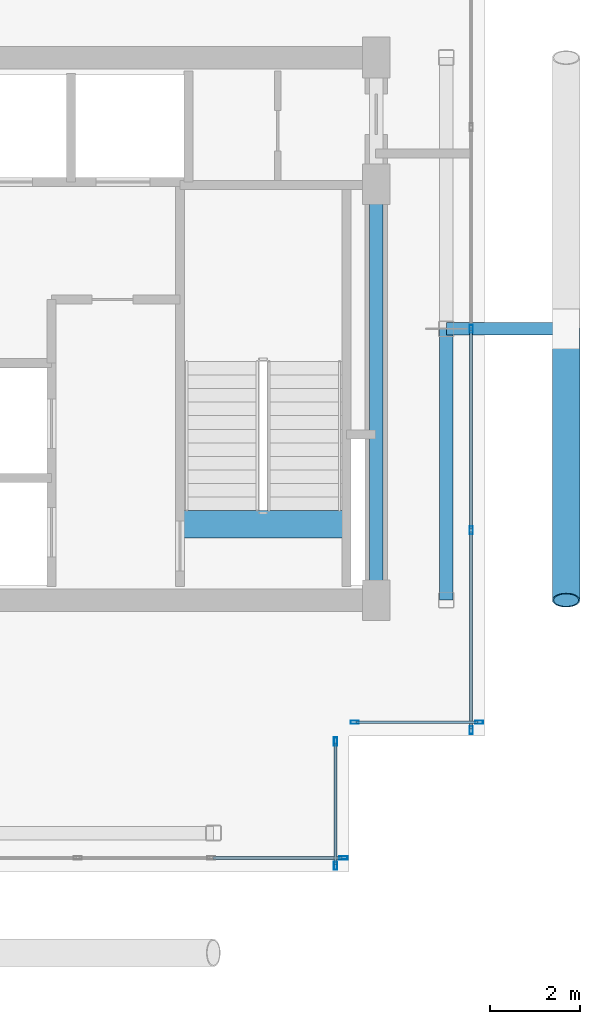
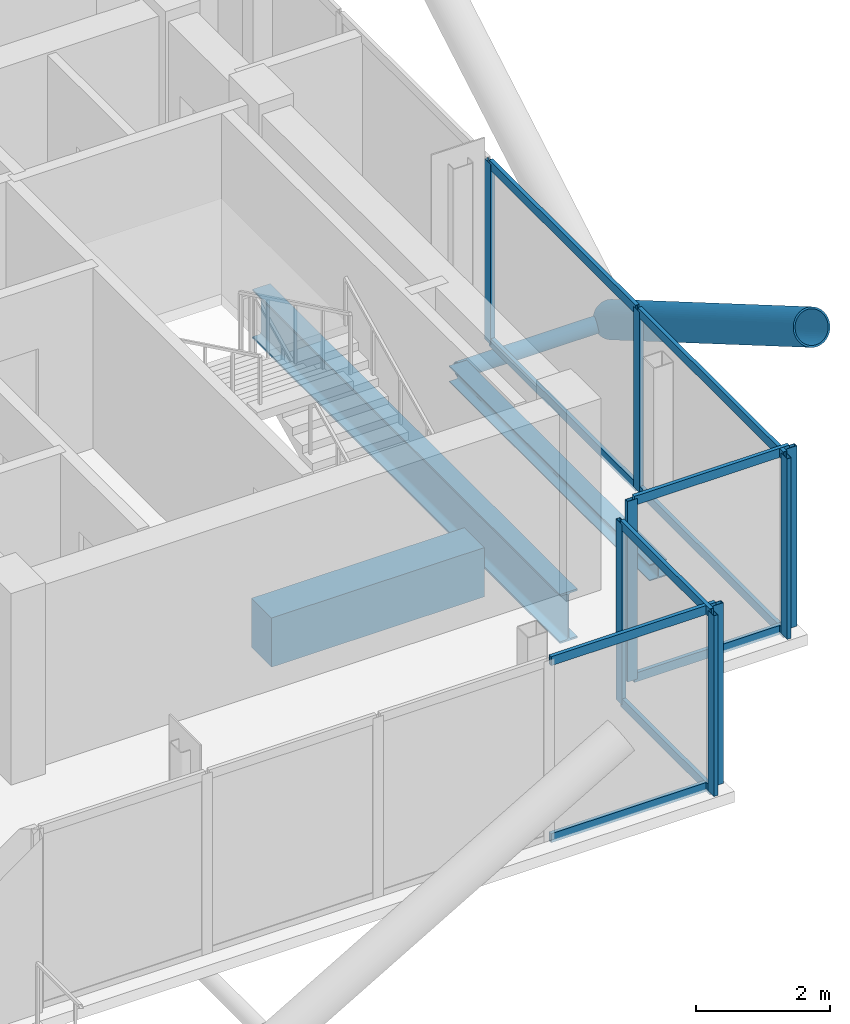
# One storey, part 11 of 18: 20 members, 3 beams, 4 elements without a shape of their own.
"""IFC4 building model written with IfcOpenShell, lengths in metres."""

from ifc_helpers import new_model, si_unit, direction, frame, origin, origin_2d, place, context, subcontext, project, spatial, rectangle, hollow_rectangle, hollow_circle, i_section, extrude, material, layer, layer_set, material_profile, profile_set, type_object, element, aggregate, save


model = new_model("IFC4")

# Units and contexts
model_context = context("Model", 3, precision=1e-05, world=origin(), true_north=direction((0.0, 1.0)))
body_context = subcontext(model_context, "Body", "Model", "MODEL_VIEW")
ifc_project = project(units=[si_unit("LENGTHUNIT", "METRE"), si_unit("AREAUNIT", "SQUARE_METRE"), si_unit("VOLUMEUNIT", "CUBIC_METRE"), si_unit("PLANEANGLEUNIT", "RADIAN"), si_unit("MASSUNIT", "GRAM", prefix="KILO"), si_unit("THERMODYNAMICTEMPERATUREUNIT", "KELVIN"), si_unit("POWERUNIT", "WATT")], contexts=[model_context])

# Site, building, storey
site_placement = place(None, origin())
site = spatial("IfcSite", under=ifc_project, at=site_placement, CompositionType="ELEMENT")
building_placement = place(site_placement, origin())
building = spatial("IfcBuilding", under=site, at=building_placement, Name="Svarakhadi Broadcast Tower", CompositionType="ELEMENT")
storey_placement = place(building_placement, frame((0.0, 0.0, 281.699951171875)))
storey = spatial("IfcBuildingStorey", under=building, at=storey_placement, Name="L71", CompositionType="ELEMENT", Elevation=281.699951171875)

# Curtain wall, members
ifc_material_1 = material(Name="Anodised Bronze Aluminium AA 6063-T6", Category="aluminium")
ifc_layer = layer(ifc_material_1, 0.179931640625)
ifc_layer_set = layer_set([ifc_layer], Name="Anodised Bronze Aluminium AA 6063-T6")
curtain_wall_type = type_object("IfcCurtainWallType", Name="CW_Sys_05", PredefinedType="NOTDEFINED", material=ifc_layer_set)
curtain_wall_1_placement = place(storey_placement, origin())
curtain_wall_1 = element("IfcCurtainWall", 1, at=curtain_wall_1_placement, inside=storey, type_object=curtain_wall_type, Name="L71 Unitised Facade Curtain Wall 13", PredefinedType="NOTDEFINED")
ifc_material_profile_1 = material_profile(ifc_material_1, hollow_rectangle(XDim=0.070068359375, YDim=0.179931640625, WallThickness=0.005615234375, at=origin_2d()), Name="ALU MULLION 180x70x6")
ifc_profile_set_1 = profile_set([ifc_material_profile_1], Name="Anodised Bronze Aluminium AA 6063-T6")
member_type_1 = type_object("IfcMemberType", Name="CW_Sys_05_Mul", PredefinedType="MULLION", material=ifc_profile_set_1)
member_1_placement = place(storey_placement, frame((35.699951171875, 12.0, 0.0), z_axis=(0.0, 0.0, 1.0), x_axis=(1.0, 0.0, 0.0)))
member_1 = element("IfcMember", 2, at=member_1_placement, type_object=member_type_1, Name="CW-05 mullion 3", PredefinedType="MULLION", context=body_context, shape_type="SweptSolid", body=[
    extrude(hollow_rectangle(XDim=0.070068359375, YDim=0.179931640625, WallThickness=0.005615234375, at=origin_2d()), origin(), (0.0, 0.0, 1.0), 3.300048828125),
])
member_2_placement = place(storey_placement, frame((35.699951171875, 7.544921875, 0.0), z_axis=(0.0, 0.0, 1.0), x_axis=(1.0, 0.0, 0.0)))
member_2 = element("IfcMember", 3, at=member_2_placement, type_object=member_type_1, Name="CW-05 mullion 4", PredefinedType="MULLION", context=body_context, shape_type="SweptSolid", body=[
    extrude(hollow_rectangle(XDim=0.070068359375, YDim=0.179931640625, WallThickness=0.005615234375, at=origin_2d()), origin(), (0.0, 0.0, 1.0), 3.300048828125),
])
member_3_placement = place(storey_placement, frame((35.699951171875, 3.125, 0.0), z_axis=(0.0, 0.0, 1.0), x_axis=(1.0, 0.0, 0.0)))
member_3 = element("IfcMember", 4, at=member_3_placement, type_object=member_type_1, Name="CW-05 mullion 5", PredefinedType="MULLION", context=body_context, shape_type="SweptSolid", body=[
    extrude(hollow_rectangle(XDim=0.070068359375, YDim=0.179931640625, WallThickness=0.005615234375, at=origin_2d()), origin(), (0.0, 0.0, 1.0), 3.300048828125),
])

curtain_wall_2_placement = place(storey_placement, origin())
curtain_wall_2 = element("IfcCurtainWall", 5, at=curtain_wall_2_placement, inside=storey, type_object=curtain_wall_type, Name="L71 Unitised Facade Curtain Wall 14", PredefinedType="NOTDEFINED")
member_4_placement = place(storey_placement, frame((35.875, 3.300048828125, 0.0), z_axis=(0.0, 0.0, 1.0), x_axis=(0.0, -1.0, 0.0)))
member_4 = element("IfcMember", 6, at=member_4_placement, type_object=member_type_1, Name="CW-05 mullion 1", PredefinedType="MULLION", context=body_context, shape_type="SweptSolid", body=[
    extrude(hollow_rectangle(XDim=0.070068359375, YDim=0.179931640625, WallThickness=0.005615234375, at=origin_2d()), origin(), (0.0, 0.0, 1.0), 3.300048828125),
])
member_5_placement = place(storey_placement, frame((33.125, 3.300048828125, 0.0), z_axis=(0.0, 0.0, 1.0), x_axis=(0.0, -1.0, 0.0)))
member_5 = element("IfcMember", 7, at=member_5_placement, type_object=member_type_1, Name="CW-05 mullion 2", PredefinedType="MULLION", context=body_context, shape_type="SweptSolid", body=[
    extrude(hollow_rectangle(XDim=0.070068359375, YDim=0.179931640625, WallThickness=0.005615234375, at=origin_2d()), origin(), (0.0, 0.0, 1.0), 3.300048828125),
])

curtain_wall_3_placement = place(storey_placement, origin())
curtain_wall_3 = element("IfcCurtainWall", 8, at=curtain_wall_3_placement, inside=storey, type_object=curtain_wall_type, Name="L71 Unitised Facade Curtain Wall 15", PredefinedType="NOTDEFINED")
member_6_placement = place(storey_placement, frame((32.699951171875, 2.875, 0.0), z_axis=(0.0, 0.0, 1.0), x_axis=(1.0, 0.0, 0.0)))
member_6 = element("IfcMember", 9, at=member_6_placement, type_object=member_type_1, Name="CW-05 mullion 1", PredefinedType="MULLION", context=body_context, shape_type="SweptSolid", body=[
    extrude(hollow_rectangle(XDim=0.070068359375, YDim=0.179931640625, WallThickness=0.005615234375, at=origin_2d()), origin(), (0.0, 0.0, 1.0), 3.300048828125),
])
member_7_placement = place(storey_placement, frame((32.699951171875, 0.125, 0.0), z_axis=(0.0, 0.0, 1.0), x_axis=(1.0, 0.0, 0.0)))
member_7 = element("IfcMember", 10, at=member_7_placement, type_object=member_type_1, Name="CW-05 mullion 2", PredefinedType="MULLION", context=body_context, shape_type="SweptSolid", body=[
    extrude(hollow_rectangle(XDim=0.070068359375, YDim=0.179931640625, WallThickness=0.005615234375, at=origin_2d()), origin(), (0.0, 0.0, 1.0), 3.300048828125),
])

# Curtain wall, member
curtain_wall_4_placement = place(storey_placement, origin())
curtain_wall_4 = element("IfcCurtainWall", 11, at=curtain_wall_4_placement, inside=storey, type_object=curtain_wall_type, Name="L71 South Curtain Wall 16", PredefinedType="NOTDEFINED")
member_8_placement = place(storey_placement, frame((32.875, 0.300048828125, 0.0), z_axis=(0.0, 0.0, 1.0), x_axis=(0.0, -1.0, 0.0)))
member_8 = element("IfcMember", 12, at=member_8_placement, type_object=member_type_1, Name="CW-05 mullion 1", PredefinedType="MULLION", context=body_context, shape_type="SweptSolid", body=[
    extrude(hollow_rectangle(XDim=0.070068359375, YDim=0.179931640625, WallThickness=0.005615234375, at=origin_2d()), origin(), (0.0, 0.0, 1.0), 3.300048828125),
])

# Member
ifc_material_profile_2 = material_profile(ifc_material_1, hollow_rectangle(XDim=0.06494140625, YDim=0.1650390625, WallThickness=0.0048828125, at=origin_2d()), Name="ALU TRANSOM 165x65x5")
ifc_profile_set_2 = profile_set([ifc_material_profile_2], Name="Anodised Bronze Aluminium AA 6063-T6")
member_type_2 = type_object("IfcMemberType", Name="CW_Sys_05_Trn", PredefinedType="USERDEFINED", material=ifc_profile_set_2)
member_9_placement = place(storey_placement, frame((35.699951171875, 11.965087890625, 0.032470703125), z_axis=(0.0, -1.0, 0.0), x_axis=(1.0, 0.0, 0.0)))
member_9 = element("IfcMember", 13, at=member_9_placement, type_object=member_type_2, Name="CW-05 transom 3.1", ObjectType="TRANSOM", PredefinedType="USERDEFINED", context=body_context, shape_type="SweptSolid", body=[
    extrude(hollow_rectangle(XDim=0.06494140625, YDim=0.1650390625, WallThickness=0.0048828125, at=origin_2d()), origin(), (0.0, 0.0, 1.0), 4.385009765625),
])

member_10_placement = place(storey_placement, frame((35.699951171875, 11.965087890625, 3.267578125), z_axis=(0.0, -1.0, 0.0), x_axis=(1.0, 0.0, 0.0)))
member_10 = element("IfcMember", 14, at=member_10_placement, type_object=member_type_2, Name="CW-05 transom 3.2", ObjectType="TRANSOM", PredefinedType="USERDEFINED", context=body_context, shape_type="SweptSolid", body=[
    extrude(hollow_rectangle(XDim=0.06494140625, YDim=0.1650390625, WallThickness=0.0048828125, at=origin_2d()), origin(), (0.0, 0.0, 1.0), 4.385009765625),
])

member_11_placement = place(storey_placement, frame((35.699951171875, 7.510009765625, 0.032470703125), z_axis=(0.0, -1.0, 0.0), x_axis=(1.0, 0.0, 0.0)))
member_11 = element("IfcMember", 15, at=member_11_placement, type_object=member_type_2, Name="CW-05 transom 4.1", ObjectType="TRANSOM", PredefinedType="USERDEFINED", context=body_context, shape_type="SweptSolid", body=[
    extrude(hollow_rectangle(XDim=0.06494140625, YDim=0.1650390625, WallThickness=0.0048828125, at=origin_2d()), origin(), (0.0, 0.0, 1.0), 4.35009765625),
])

member_12_placement = place(storey_placement, frame((35.699951171875, 7.510009765625, 3.267578125), z_axis=(0.0, -1.0, 0.0), x_axis=(1.0, 0.0, 0.0)))
member_12 = element("IfcMember", 16, at=member_12_placement, type_object=member_type_2, Name="CW-05 transom 4.2", ObjectType="TRANSOM", PredefinedType="USERDEFINED", context=body_context, shape_type="SweptSolid", body=[
    extrude(hollow_rectangle(XDim=0.06494140625, YDim=0.1650390625, WallThickness=0.0048828125, at=origin_2d()), origin(), (0.0, 0.0, 1.0), 4.35009765625),
])

aggregate(curtain_wall_1, [member_1, member_2, member_3, member_9, member_10, member_11, member_12])

member_13_placement = place(storey_placement, frame((35.840087890625, 3.300048828125, 0.032470703125), z_axis=(-1.0, 0.0, 0.0), x_axis=(0.0, -1.0, 0.0)))
member_13 = element("IfcMember", 17, at=member_13_placement, type_object=member_type_2, Name="CW-05 transom 1.1", ObjectType="TRANSOM", PredefinedType="USERDEFINED", context=body_context, shape_type="SweptSolid", body=[
    extrude(hollow_rectangle(XDim=0.06494140625, YDim=0.1650390625, WallThickness=0.0048828125, at=origin_2d()), origin(), (0.0, 0.0, 1.0), 2.68017578125),
])

member_14_placement = place(storey_placement, frame((35.840087890625, 3.300048828125, 3.267578125), z_axis=(-1.0, 0.0, 0.0), x_axis=(0.0, -1.0, 0.0)))
member_14 = element("IfcMember", 18, at=member_14_placement, type_object=member_type_2, Name="CW-05 transom 1.2", ObjectType="TRANSOM", PredefinedType="USERDEFINED", context=body_context, shape_type="SweptSolid", body=[
    extrude(hollow_rectangle(XDim=0.06494140625, YDim=0.1650390625, WallThickness=0.0048828125, at=origin_2d()), origin(), (0.0, 0.0, 1.0), 2.68017578125),
])

aggregate(curtain_wall_2, [member_4, member_5, member_13, member_14])

member_15_placement = place(storey_placement, frame((32.699951171875, 2.840087890625, 0.032470703125), z_axis=(0.0, -1.0, 0.0), x_axis=(1.0, 0.0, 0.0)))
member_15 = element("IfcMember", 19, at=member_15_placement, type_object=member_type_2, Name="CW-05 transom 1.1", ObjectType="TRANSOM", PredefinedType="USERDEFINED", context=body_context, shape_type="SweptSolid", body=[
    extrude(hollow_rectangle(XDim=0.06494140625, YDim=0.1650390625, WallThickness=0.0048828125, at=origin_2d()), origin(), (0.0, 0.0, 1.0), 2.68017578125),
])

member_16_placement = place(storey_placement, frame((32.699951171875, 2.840087890625, 3.267578125), z_axis=(0.0, -1.0, 0.0), x_axis=(1.0, 0.0, 0.0)))
member_16 = element("IfcMember", 20, at=member_16_placement, type_object=member_type_2, Name="CW-05 transom 1.2", ObjectType="TRANSOM", PredefinedType="USERDEFINED", context=body_context, shape_type="SweptSolid", body=[
    extrude(hollow_rectangle(XDim=0.06494140625, YDim=0.1650390625, WallThickness=0.0048828125, at=origin_2d()), origin(), (0.0, 0.0, 1.0), 2.68017578125),
])

aggregate(curtain_wall_3, [member_6, member_7, member_15, member_16])

member_17_placement = place(storey_placement, frame((32.840087890625, 0.300048828125, 0.032470703125), z_axis=(-1.0, 0.0, 0.0), x_axis=(0.0, -1.0, 0.0)))
member_17 = element("IfcMember", 21, at=member_17_placement, type_object=member_type_2, Name="CW-05 transom 1.1", ObjectType="TRANSOM", PredefinedType="USERDEFINED", context=body_context, shape_type="SweptSolid", body=[
    extrude(hollow_rectangle(XDim=0.06494140625, YDim=0.1650390625, WallThickness=0.0048828125, at=origin_2d()), origin(), (0.0, 0.0, 1.0), 2.85009765625),
])

member_18_placement = place(storey_placement, frame((32.840087890625, 0.300048828125, 3.267578125), z_axis=(-1.0, 0.0, 0.0), x_axis=(0.0, -1.0, 0.0)))
member_18 = element("IfcMember", 22, at=member_18_placement, type_object=member_type_2, Name="CW-05 transom 1.2", ObjectType="TRANSOM", PredefinedType="USERDEFINED", context=body_context, shape_type="SweptSolid", body=[
    extrude(hollow_rectangle(XDim=0.06494140625, YDim=0.1650390625, WallThickness=0.0048828125, at=origin_2d()), origin(), (0.0, 0.0, 1.0), 2.85009765625),
])

aggregate(curtain_wall_4, [member_8, member_17, member_18])

# Beam
ifc_material_2 = material(Name="Concrete C50/60 (IS 456 M60)", Category="concrete")
ifc_material_profile_3 = material_profile(ifc_material_2, rectangle(XDim=0.60009765625, YDim=0.89990234375, at=origin_2d()), Name="RC 600x900")
ifc_profile_set_3 = profile_set([ifc_material_profile_3], Name="Concrete C50/60 (IS 456 M60)")
beam_type_1 = type_object("IfcBeamType", Name="Coupling_RC600", PredefinedType="USERDEFINED", material=ifc_profile_set_3)
beam_1_placement = place(storey_placement, frame((29.260009765625, 7.679931640625, -0.449951171875), z_axis=(1.0, 0.0, 0.0), x_axis=(0.0, 1.0, 0.0)))
element("IfcBeam", 23, at=beam_1_placement, inside=storey, type_object=beam_type_1, Name="L71 Stair ST-02 Landing Throat Trimmer Beam CB-01", ObjectType="GIRDER", PredefinedType="USERDEFINED", context=body_context, shape_type="SweptSolid", body=[
    extrude(rectangle(XDim=0.60009765625, YDim=0.89990234375, at=origin_2d()), origin(), (0.0, 0.0, 1.0), 3.679931640625),
])

# Members
ifc_material_3 = material(Name="Steel S460ML (IS 2062 E450BR)", Category="steel")
ifc_material_profile_4 = material_profile(ifc_material_3, hollow_circle(Radius=0.304931640625, WallThickness=0.030029296875, at=origin_2d()), Name="CHS 610x30")
ifc_profile_set_4 = profile_set([ifc_material_profile_4], Name="Steel S460ML (IS 2062 E450BR)")
member_type_3 = type_object("IfcMemberType", Name="Exo_Brace_CHS610", PredefinedType="BRACE", material=ifc_profile_set_4)
member_19_placement = place(storey_placement, frame((37.800048828125, 12.0, -0.33642578125), z_axis=(0.0, -0.863778900898, 0.503871025524), x_axis=(1.0, 0.0, 0.0)))
element("IfcMember", 24, at=member_19_placement, inside=storey, type_object=member_type_3, Name="L71 Exposed Bronze Exoskeleton Diagonal E02", PredefinedType="BRACE", context=body_context, shape_type="SweptSolid", body=[
    extrude(hollow_circle(Radius=0.304931640625, WallThickness=0.030029296875, at=origin_2d()), origin(), (0.0, 0.0, 1.0), 6.9462890625),
])
ifc_material_profile_5 = material_profile(ifc_material_3, hollow_circle(Radius=0.136474609375, WallThickness=0.012451171875, at=origin_2d()), Name="CHS 273x12.5")
ifc_profile_set_5 = profile_set([ifc_material_profile_5], Name="Steel S460ML (IS 2062 E450BR)")
member_type_4 = type_object("IfcMemberType", Name="Exo_Radial_Strut_Z3", PredefinedType="STRUT", material=ifc_profile_set_5)
member_20_placement = place(storey_placement, frame((37.800048828125, 12.0, -0.33642578125), z_axis=(-1.0, 0.0, 0.0), x_axis=(0.0, -1.0, 0.0)))
element("IfcMember", 25, at=member_20_placement, inside=storey, type_object=member_type_4, Name="L71 Exoskeleton Radial Tie Strut E02", PredefinedType="STRUT", context=body_context, shape_type="SweptSolid", body=[
    extrude(hollow_circle(Radius=0.136474609375, WallThickness=0.012451171875, at=origin_2d()), origin(), (0.0, 0.0, 1.0), 2.650146484375),
])

# Beams
ifc_material_4 = material(Name="Steel S355J2 (IS 2062 E350C)", Category="steel")
ifc_material_profile_6 = material_profile(ifc_material_4, i_section(OverallWidth=0.300048828125, OverallDepth=0.300048828125, WebThickness=0.010986328125, FlangeThickness=0.01904296875, FilletRadius=0.027099609375, at=origin_2d()), Name="WPB 300x300x117")
ifc_profile_set_6 = profile_set([ifc_material_profile_6], Name="Steel S355J2 (IS 2062 E350C)")
beam_type_2 = type_object("IfcBeamType", Name="Girder_WPB300", PredefinedType="USERDEFINED", material=ifc_profile_set_6)
beam_2_placement = place(storey_placement, frame((35.14990234375, 6.0, -0.349853515625), z_axis=(0.0, 1.0, 0.0), x_axis=(-1.0, 0.0, 0.0)))
element("IfcBeam", 26, at=beam_2_placement, inside=storey, type_object=beam_type_2, Name="L71 Primary N-S Girder G045", ObjectType="GIRDER", PredefinedType="USERDEFINED", context=body_context, shape_type="SweptSolid", body=[
    extrude(i_section(OverallWidth=0.300048828125, OverallDepth=0.300048828125, WebThickness=0.010986328125, FlangeThickness=0.01904296875, FilletRadius=0.027099609375, at=origin_2d()), origin(), (0.0, 0.0, 1.0), 6.0),
])
ifc_material_profile_7 = material_profile(ifc_material_3, i_section(OverallWidth=0.300048828125, OverallDepth=0.89990234375, WebThickness=0.0185546875, FlangeThickness=0.034912109375, FilletRadius=0.030029296875, at=origin_2d()), Name="WPB 900x300x291")
ifc_profile_set_7 = profile_set([ifc_material_profile_7], Name="Steel S460ML (IS 2062 E450BR)")
beam_type_3 = type_object("IfcBeamType", Name="Girder_WPB900", PredefinedType="USERDEFINED", material=ifc_profile_set_7)
beam_3_placement = place(storey_placement, frame((33.60009765625, 6.0, -0.64990234375), z_axis=(0.0, 1.0, 0.0), x_axis=(-1.0, 0.0, 0.0)))
element("IfcBeam", 27, at=beam_3_placement, inside=storey, type_object=beam_type_3, Name="L71 Primary N-S Girder G043", ObjectType="GIRDER", PredefinedType="USERDEFINED", context=body_context, shape_type="SweptSolid", body=[
    extrude(i_section(OverallWidth=0.300048828125, OverallDepth=0.89990234375, WebThickness=0.0185546875, FlangeThickness=0.034912109375, FilletRadius=0.030029296875, at=origin_2d()), origin(), (0.0, 0.0, 1.0), 9.199951171875),
])

save(model, "model.ifc")
